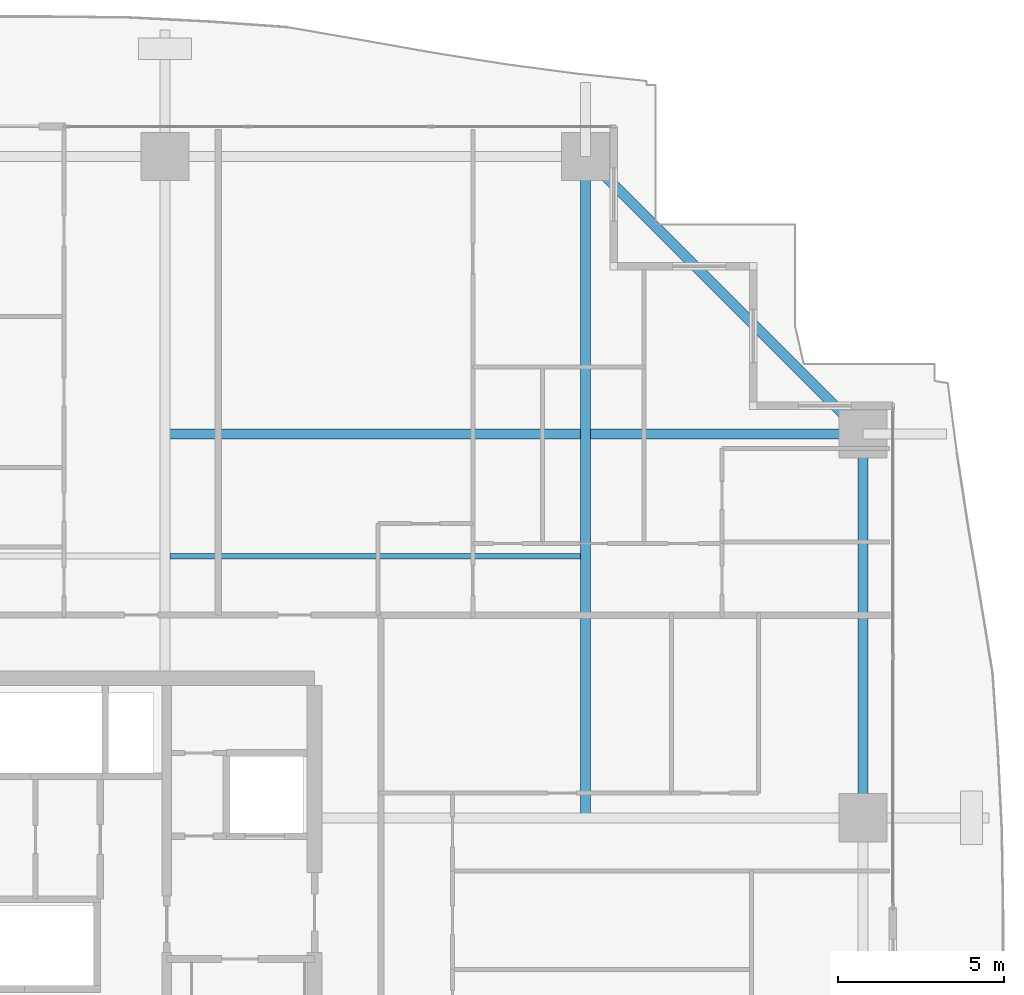
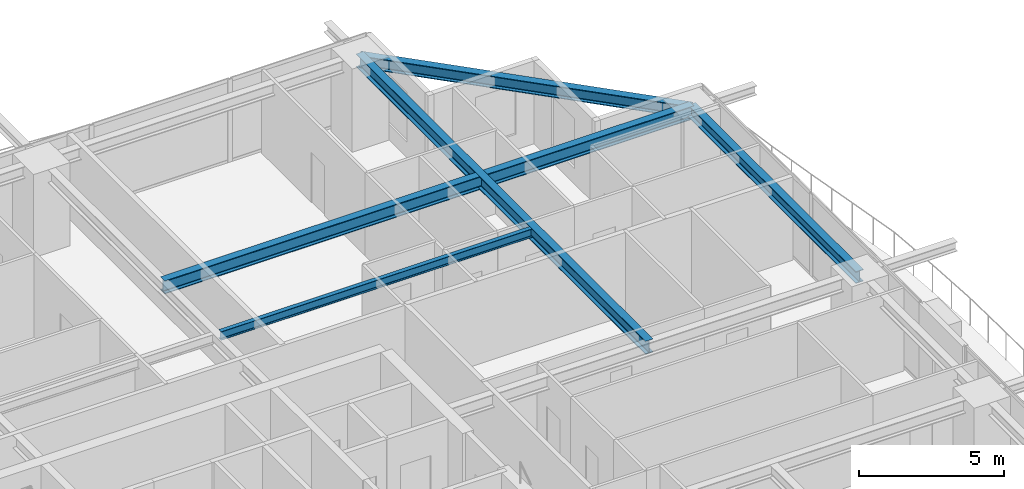
# One storey, part 22 of 37: 5 beams.
"""IFC4 building model written with IfcOpenShell, lengths in metres."""

from ifc_helpers import new_model, si_unit, direction, frame, origin, origin_2d, place, context, subcontext, project, spatial, i_section, extrude, source, transform, mapped, material, material_profile, profile_set, type_object, element, save


model = new_model("IFC4")

# Units and contexts
model_context = context("Model", 3, precision=1e-05, world=origin(), true_north=direction((0.0, 1.0)))
body_context = subcontext(model_context, "Body", "Model", "MODEL_VIEW")
ifc_project = project(units=[si_unit("LENGTHUNIT", "METRE"), si_unit("AREAUNIT", "SQUARE_METRE"), si_unit("VOLUMEUNIT", "CUBIC_METRE"), si_unit("PLANEANGLEUNIT", "RADIAN"), si_unit("MASSUNIT", "GRAM", prefix="KILO")], contexts=[model_context])

# Site, building, storey
site_placement = place(None, origin())
site = spatial("IfcSite", under=ifc_project, at=site_placement, CompositionType="ELEMENT")
building_placement = place(site_placement, origin())
building = spatial("IfcBuilding", under=site, at=building_placement, Name="Serunith Strait Residences", CompositionType="ELEMENT")
storey_placement = place(building_placement, frame((0.0, 0.0, 26.699951171875)))
storey = spatial("IfcBuildingStorey", under=building, at=storey_placement, Name="L05", CompositionType="ELEMENT", Elevation=26.699951171875)

# Beams
ifc_material = material(Name="Steel S355J2", Category="steel")
ifc_material_profile_1 = material_profile(ifc_material, i_section(OverallWidth=0.300048828125, OverallDepth=0.550048828125, WebThickness=0.014892578125, FlangeThickness=0.029052734375, FilletRadius=0.027099609375, at=origin_2d()), Name="HEB 550")
ifc_profile_set_1 = profile_set([ifc_material_profile_1], Name="Steel S355J2")
beam_type_1 = type_object("IfcBeamType", Name="BM-HEB550", PredefinedType="BEAM", material=ifc_profile_set_1)
shared_shape_1 = source(origin(), body_context, "Body", "SweptSolid", [
    extrude(i_section(OverallWidth=0.300048828125, OverallDepth=0.550048828125, WebThickness=0.014892578125, FlangeThickness=0.029052734375, FilletRadius=0.027099609375, at=origin_2d()), origin(), (0.0, 0.0, 1.0), 19.900146484375),
])
beam_1_placement = place(storey_placement, frame((49.550048828125, 29.39990234375, 3.212158203125), z_axis=(0.0, 1.0, 0.0), x_axis=(-1.0, 0.0, 0.0)))
element("IfcBeam", 1, at=beam_1_placement, inside=storey, type_object=beam_type_1, Name="L05 Orthogonal Corner Girder TC-N4", PredefinedType="BEAM", context=body_context, shape_type="MappedRepresentation", body=[
    mapped(shared_shape_1, transform((0.0, 0.0, 0.0), scale=1.0)),
])
shared_shape_2 = source(origin(), body_context, "Body", "SweptSolid", [
    extrude(i_section(OverallWidth=0.300048828125, OverallDepth=0.550048828125, WebThickness=0.014892578125, FlangeThickness=0.029052734375, FilletRadius=0.027099609375, at=origin_2d()), origin(), (0.0, 0.0, 1.0), 21.0),
])
beam_2_placement = place(storey_placement, frame((36.89990234375, 40.949951171875, 3.212158203125), z_axis=(1.0, 0.0, 0.0), x_axis=(0.0, 1.0, 0.0)))
element("IfcBeam", 2, at=beam_2_placement, inside=storey, type_object=beam_type_1, Name="L05 Orthogonal Corner Girder TC-E4", PredefinedType="BEAM", context=body_context, shape_type="MappedRepresentation", body=[
    mapped(shared_shape_2, transform((0.0, 0.0, 0.0), scale=1.0)),
])
ifc_material_profile_2 = material_profile(ifc_material, i_section(OverallWidth=0.300048828125, OverallDepth=0.5, WebThickness=0.014404296875, FlangeThickness=0.028076171875, FilletRadius=0.027099609375, at=origin_2d()), Name="HEB 500")
ifc_profile_set_2 = profile_set([ifc_material_profile_2], Name="Steel S355J2")
beam_type_2 = type_object("IfcBeamType", Name="BM-HEB500", PredefinedType="BEAM", material=ifc_profile_set_2)
shared_shape_3 = source(origin(), body_context, "Body", "SweptSolid", [
    extrude(i_section(OverallWidth=0.300048828125, OverallDepth=0.5, WebThickness=0.014404296875, FlangeThickness=0.028076171875, FilletRadius=0.027099609375, at=origin_2d()), origin(), (0.0, 0.0, 1.0), 11.80859375),
])
beam_3_placement = place(storey_placement, frame((57.89990234375, 40.949951171875, 3.20703125), z_axis=(-0.707096443746, 0.707117118476, 0.0), x_axis=(-0.707117118476, -0.707096443746, 0.0)))
element("IfcBeam", 3, at=beam_3_placement, inside=storey, type_object=beam_type_2, Name="L05 Perimeter Ring Beam 08", PredefinedType="BEAM", context=body_context, shape_type="MappedRepresentation", body=[
    mapped(shared_shape_3, transform((0.0, 0.0, 0.0), scale=1.0)),
])
shared_shape_4 = source(origin(), body_context, "Body", "SweptSolid", [
    extrude(i_section(OverallWidth=0.300048828125, OverallDepth=0.5, WebThickness=0.014404296875, FlangeThickness=0.028076171875, FilletRadius=0.027099609375, at=origin_2d()), origin(), (0.0, 0.0, 1.0), 11.550048828125),
])
beam_4_placement = place(storey_placement, frame((57.89990234375, 29.39990234375, 3.237060546875), z_axis=(0.0, 1.0, 0.0), x_axis=(-1.0, 0.0, 0.0)))
element("IfcBeam", 4, at=beam_4_placement, inside=storey, type_object=beam_type_2, Name="L05 Perimeter Ring Beam 07", PredefinedType="BEAM", context=body_context, shape_type="MappedRepresentation", body=[
    mapped(shared_shape_4, transform((0.0, 0.0, 0.0), scale=1.0)),
])
ifc_material_profile_3 = material_profile(ifc_material, i_section(OverallWidth=0.169921875, OverallDepth=0.360107421875, WebThickness=0.008056640625, FlangeThickness=0.0126953125, FilletRadius=0.01806640625, at=origin_2d()), Name="IPE 360")
ifc_profile_set_3 = profile_set([ifc_material_profile_3], Name="Steel S355J2")
beam_type_3 = type_object("IfcBeamType", Name="BM-IPE360", PredefinedType="JOIST", material=ifc_profile_set_3)
shared_shape_5 = source(origin(), body_context, "Body", "SweptSolid", [
    extrude(i_section(OverallWidth=0.169921875, OverallDepth=0.360107421875, WebThickness=0.008056640625, FlangeThickness=0.0126953125, FilletRadius=0.01806640625, at=origin_2d()), origin(), (0.0, 0.0, 1.0), 12.349853515625),
])
beam_5_placement = place(storey_placement, frame((37.050048828125, 37.27490234375, 3.30712890625), z_axis=(1.0, 0.0, 0.0), x_axis=(0.0, 1.0, 0.0)))
element("IfcBeam", 5, at=beam_5_placement, inside=storey, type_object=beam_type_3, Name="L05 Composite Floor Joist 06", PredefinedType="JOIST", context=body_context, shape_type="MappedRepresentation", body=[
    mapped(shared_shape_5, transform((0.0, 0.0, 0.0), scale=1.0)),
])

save(model, "model.ifc")
